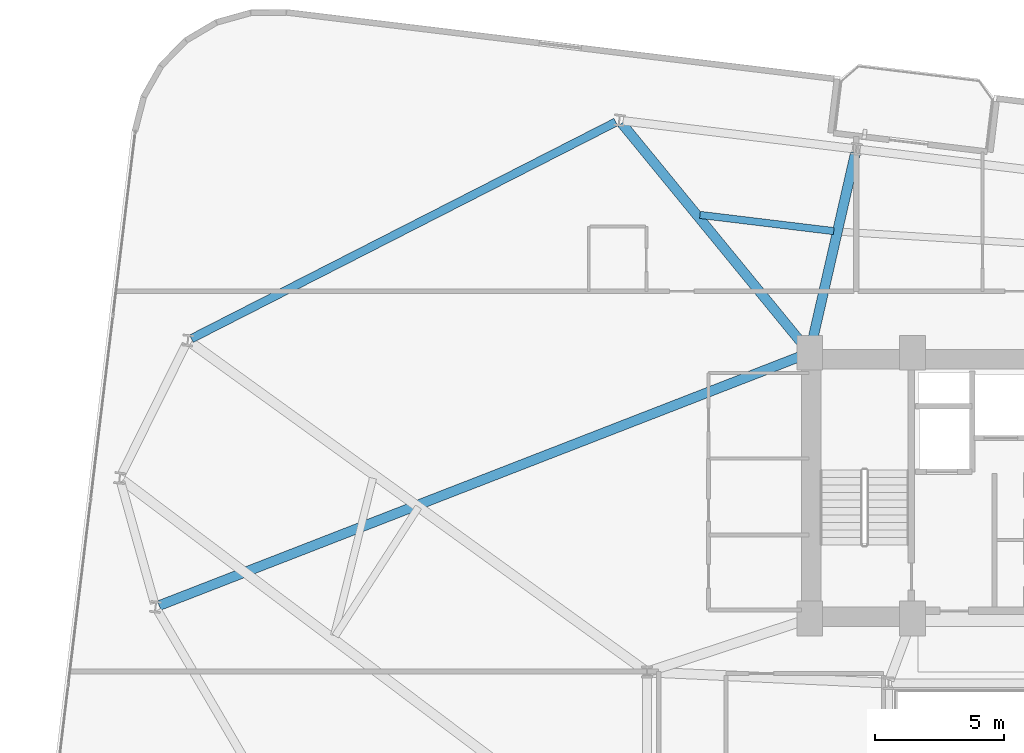
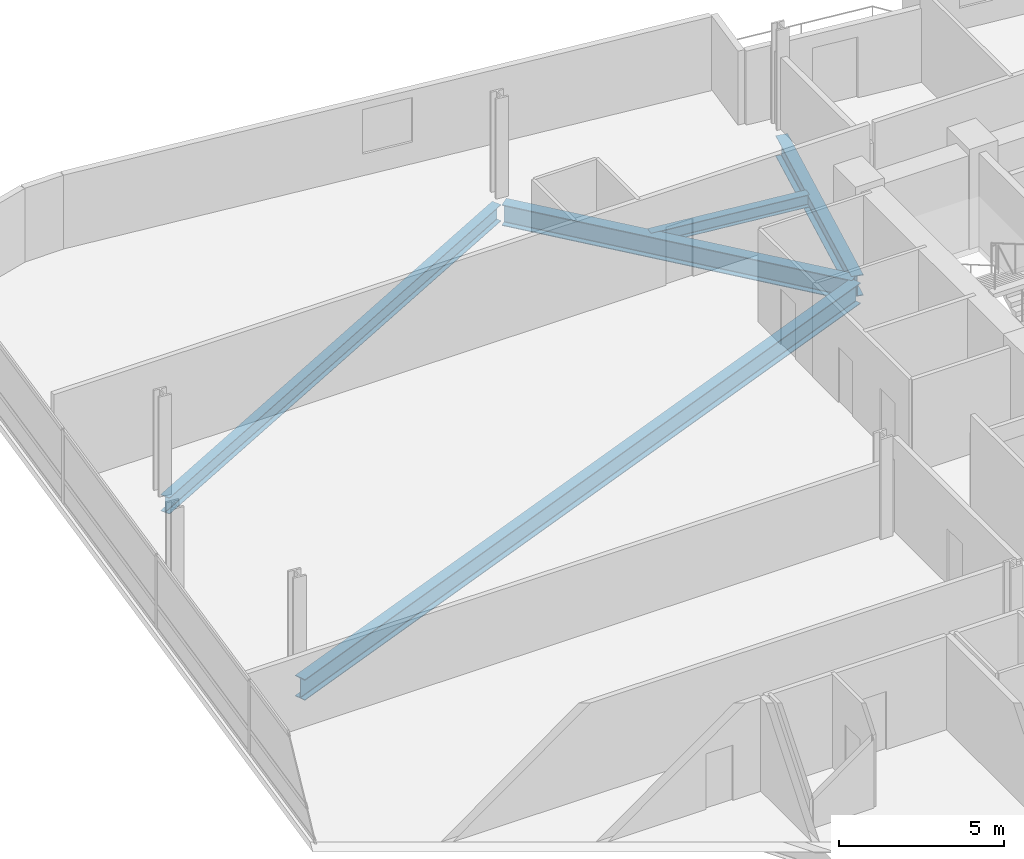
# One storey, part 11 of 26: 5 beams.
"""IFC4 building model written with IfcOpenShell, lengths in metres."""

import ifcopenshell
import ifcopenshell.guid

model = None  # the IFC model being written
_history = None  # IfcOwnerHistory: only IFC2X3 demands one
_inside = {}  # id of a spatial element -> (the spatial element, [elements in it])
_under = {}  # id of a project, library or spatial element -> (it, [spatial elements below it])
_declared = {}  # id of a project -> (the project, [libraries it declares])
_typed = {}  # id of a type object -> (the type object, [elements of that type])
_made_of = {}  # id of a material, layer set ... -> (it, [elements and type objects made of it])


def new_model(schema):
    """Start an empty IFC model of exactly this schema.

    Asked for "IFC4X3", IfcOpenShell would pick the latest addendum, in which some entities
    have other attributes; the version numbers below select the first issue.
    IFC2X3 requires an IfcOwnerHistory on every rooted entity: one is made here for all.
    """
    global model, _history
    if schema == "IFC4X3":
        model = ifcopenshell.file(schema_version=(4, 3, 0, 0))
    else:
        model = ifcopenshell.file(schema=schema)
    _inside.clear()
    _under.clear()
    _declared.clear()
    _typed.clear()
    _made_of.clear()
    _history = None
    if model.schema == "IFC2X3":
        org = make("IfcOrganization", Name="unknown")
        user = make(
            "IfcPersonAndOrganization",
            ThePerson=make("IfcPerson", FamilyName="unknown"),
            TheOrganization=org,
        )
        app = make(
            "IfcApplication",
            ApplicationDeveloper=org,
            Version="unknown",
            ApplicationFullName="unknown",
            ApplicationIdentifier="unknown",
        )
        _history = make(
            "IfcOwnerHistory",
            OwningUser=user,
            OwningApplication=app,
            ChangeAction="ADDED",
            CreationDate=0,
        )
    return model


def make(cls, **values):
    """One entity of the class cls with the attributes given. An attribute that is None is left unset."""
    return model.create_entity(
        cls, **{name: value for name, value in values.items() if value is not None}
    )


def rooted(cls, **values):
    """An entity with a GlobalId (a new one), such as an element, a storey or a relation."""
    return make(cls, GlobalId=ifcopenshell.guid.new(), OwnerHistory=_history, **values)


def si_unit(unit_type, name, prefix=None):
    """IfcSIUnit, for example si_unit("LENGTHUNIT", "METRE", prefix="MILLI")."""
    return make("IfcSIUnit", UnitType=unit_type, Prefix=prefix, Name=name)


def assignment(units):
    """IfcUnitAssignment: the units of a project."""
    return None if units is None else make("IfcUnitAssignment", Units=units)


def point(xyz):
    """IfcCartesianPoint."""
    return None if xyz is None else make("IfcCartesianPoint", Coordinates=xyz)


def direction(xyz):
    """IfcDirection."""
    return None if xyz is None else make("IfcDirection", DirectionRatios=xyz)


def frame(location, z_axis=None, x_axis=None):
    """IfcAxis2Placement3D, a coordinate frame: its origin and axes. An axis left out is left unset."""
    return make(
        "IfcAxis2Placement3D",
        Location=point(location),
        Axis=direction(z_axis),
        RefDirection=direction(x_axis),
    )


def frame_2d(location, x_axis=None):
    """IfcAxis2Placement2D, a coordinate frame in the plane: its origin and x axis."""
    return make(
        "IfcAxis2Placement2D", Location=point(location), RefDirection=direction(x_axis)
    )


def origin():
    """The frame at (0, 0, 0) with its axes left unset."""
    return frame((0.0, 0.0, 0.0))


def origin_2d():
    """The frame at (0, 0) in the plane with its x axis left unset."""
    return frame_2d((0.0, 0.0))


def place(relative_to, where):
    """IfcLocalPlacement: puts the frame where relative to a parent placement (None: the world)."""
    return make(
        "IfcLocalPlacement", PlacementRelTo=relative_to, RelativePlacement=where
    )


def context(
    kind, dimensions, precision=None, world=None, true_north=None, identifier=None
):
    """IfcGeometricRepresentationContext, for example the 3D "Model" context."""
    return make(
        "IfcGeometricRepresentationContext",
        ContextIdentifier=identifier,
        ContextType=kind,
        CoordinateSpaceDimension=dimensions,
        Precision=precision,
        WorldCoordinateSystem=world,
        TrueNorth=true_north,
    )


def subcontext(parent, identifier, kind, view, scale=None):
    """IfcGeometricRepresentationSubContext, for example "Body" below "Model"."""
    return make(
        "IfcGeometricRepresentationSubContext",
        ContextIdentifier=identifier,
        ContextType=kind,
        ParentContext=parent,
        TargetScale=scale,
        TargetView=view,
    )


def project(units=None, contexts=None):
    """IfcProject with its units and contexts."""
    return rooted(
        "IfcProject",
        Name="project",
        RepresentationContexts=contexts,
        UnitsInContext=assignment(units),
    )


def spatial(cls, under=None, at=None, **own):
    """A site, building, storey or space (cls), placed at a placement, below another one or the project."""
    s = rooted(cls, ObjectPlacement=at, **own)
    if under is not None:
        _under.setdefault(under.id(), (under, []))[1].append(s)
    return s


def profile(cls, at=None, kind="AREA", **sizes):
    """A parametric profile (cls). Its sizes go by their IFC names, for example OverallWidth=200.0."""
    return make(cls, ProfileType=kind, Position=at, **sizes)


def i_section(**sizes):
    """IfcIShapeProfileDef."""
    return profile("IfcIShapeProfileDef", **sizes)


def extrude(swept, where, along, depth):
    """IfcExtrudedAreaSolid: the profile swept, set in the frame where, extruded along a direction by depth."""
    return make(
        "IfcExtrudedAreaSolid",
        SweptArea=swept,
        Position=where,
        ExtrudedDirection=direction(along),
        Depth=depth,
    )


def shape(context_of_items, identifier, shape_type, items):
    """IfcShapeRepresentation: the items that make up one representation, for example the "Body"."""
    return make(
        "IfcShapeRepresentation",
        ContextOfItems=context_of_items,
        RepresentationIdentifier=identifier,
        RepresentationType=shape_type,
        Items=items,
    )


def material(Name=None, Category=None):
    """IfcMaterial."""
    return make("IfcMaterial", Name=Name, Category=Category)


def material_profile(
    of_material, cross_section, Name=None, Category=None, Priority=None
):
    """IfcMaterialProfile: a cross section and its material."""
    return make(
        "IfcMaterialProfile",
        Name=Name,
        Material=of_material,
        Profile=cross_section,
        Priority=Priority,
        Category=Category,
    )


def profile_set(profiles, Name=None, composite=None):
    """IfcMaterialProfileSet."""
    return make(
        "IfcMaterialProfileSet",
        Name=Name,
        MaterialProfiles=profiles,
        CompositeProfile=composite,
    )


def made_of(thing, what):
    """Note that an element or type object is made of a material, layer set ...; save() writes the relation."""
    if what is not None:
        _made_of.setdefault(what.id(), (what, []))[1].append(thing)
    return thing


def type_object(cls, material=None, **own):
    """A type object (cls), such as IfcWallType, which elements share."""
    return made_of(rooted(cls, **own), material)


def element(
    cls,
    number,
    at=None,
    inside=None,
    cuts=None,
    type_object=None,
    material=None,
    context=None,
    identifier="Body",
    shape_type=None,
    held_by="IfcProductDefinitionShape",
    body=None,
    shapes=None,
    **own,
):
    """One element of the class cls, such as IfcWall. Its Tag is "e" and its number.

    at: its placement. inside: the storey or other place that contains it. cuts: it is an
    opening in that element (IfcRelVoidsElement). A single representation is given by context,
    identifier, shape_type and body (its items); several are given by shapes. held_by: the class
    of the entity that holds the representations. save() writes the other relations.
    """
    e = rooted(cls, Tag="e%d" % number, ObjectPlacement=at, **own)
    if body is not None:
        shapes = [shape(context, identifier, shape_type, body)]
    if shapes is not None:
        e.Representation = make(held_by, Representations=shapes)
    if inside is not None:
        _inside.setdefault(inside.id(), (inside, []))[1].append(e)
    if cuts is not None:
        rooted(
            "IfcRelVoidsElement", RelatingBuildingElement=cuts, RelatedOpeningElement=e
        )
    if type_object is not None:
        _typed.setdefault(type_object.id(), (type_object, []))[1].append(e)
    return made_of(e, material)


def aggregate(whole, parts):
    """IfcRelAggregates: a whole, such as a stair, and the parts it consists of."""
    return rooted("IfcRelAggregates", RelatingObject=whole, RelatedObjects=parts)


def save(model, path):
    """Write the relations noted so far, then the file.

    IfcRelAggregates (storeys below a building ...), IfcRelContainedInSpatialStructure (elements
    in a storey), IfcRelDefinesByType, IfcRelAssociatesMaterial and IfcRelDeclares: one each for
    every whole, place, type object, material and project.
    """
    for whole, parts in _under.values():
        aggregate(whole, parts)
    for where, things in _inside.values():
        rooted(
            "IfcRelContainedInSpatialStructure",
            RelatedElements=things,
            RelatingStructure=where,
        )
    for kind, things in _typed.values():
        rooted("IfcRelDefinesByType", RelatedObjects=things, RelatingType=kind)
    for what, things in _made_of.values():
        rooted("IfcRelAssociatesMaterial", RelatedObjects=things, RelatingMaterial=what)
    for by, libraries in _declared.values():
        rooted("IfcRelDeclares", RelatingContext=by, RelatedDefinitions=libraries)
    model.write(path)


model = new_model("IFC4")

# Units and contexts
model_context = context("Model", 3, precision=1e-05, world=origin(), true_north=direction((0.0, 1.0)))
body_context = subcontext(model_context, "Body", "Model", "MODEL_VIEW")
ifc_project = project(units=[si_unit("LENGTHUNIT", "METRE"), si_unit("AREAUNIT", "SQUARE_METRE"), si_unit("VOLUMEUNIT", "CUBIC_METRE"), si_unit("PLANEANGLEUNIT", "RADIAN"), si_unit("MASSUNIT", "GRAM", prefix="KILO")], contexts=[model_context])

# Site, building, storey
site_placement = place(None, origin())
site = spatial("IfcSite", under=ifc_project, at=site_placement, CompositionType="ELEMENT")
building_placement = place(site_placement, origin())
building = spatial("IfcBuilding", under=site, at=building_placement, Name="Varnelok Gate Tower", CompositionType="ELEMENT")
storey_placement = place(building_placement, frame((0.0, 0.0, 125.39990234375)))
storey = spatial("IfcBuildingStorey", under=building, at=storey_placement, Name="L31", CompositionType="ELEMENT", Elevation=125.39990234375)

# Beams
ifc_material = material(Name="Structural Steel ASTM A992 Grade 50", Category="steel")
ifc_material_profile_1 = material_profile(ifc_material, i_section(OverallWidth=0.280029296875, OverallDepth=0.462890625, WebThickness=0.0107421875, FlangeThickness=0.017333984375, FilletRadius=0.014892578125, at=origin_2d()), Name="W18X76")
ifc_profile_set_1 = profile_set([ifc_material_profile_1], Name="Structural Steel ASTM A992 Grade 50")
beam_type_1 = type_object("IfcBeamType", Name="BM-JST-W18X76", PredefinedType="JOIST", material=ifc_profile_set_1)
beam_1_placement = place(storey_placement, frame((31.635498046875, 43.76318359375, -0.4814453125), z_axis=(-0.99273192091, 0.120346720792, 0.0), x_axis=(-0.120346720792, -0.99273192091, 0.0)))
element("IfcBeam", 1, at=beam_1_placement, inside=storey, type_object=beam_type_1, Name="L31 Sector Floor Joist 10", PredefinedType="JOIST", context=body_context, shape_type="SweptSolid", body=[
    extrude(i_section(OverallWidth=0.280029296875, OverallDepth=0.462890625, WebThickness=0.0107421875, FlangeThickness=0.017333984375, FilletRadius=0.014892578125, at=origin_2d()), origin(), (0.0, 0.0, 1.0), 5.223876953125),
])
ifc_material_profile_2 = material_profile(ifc_material, i_section(OverallWidth=0.381103515625, OverallDepth=0.77294921875, WebThickness=0.0166015625, FlangeThickness=0.027099609375, FilletRadius=0.02197265625, at=origin_2d()), Name="W30X173")
ifc_profile_set_2 = profile_set([ifc_material_profile_2], Name="Structural Steel ASTM A992 Grade 50")
beam_type_2 = type_object("IfcBeamType", Name="BM-PRI-W30X173", PredefinedType="BEAM", material=ifc_profile_set_2)
beam_2_placement = place(storey_placement, frame((30.7333984375, 39.1962890625, -0.636474609375), z_axis=(0.223043307507, 0.974808536573, 0.0), x_axis=(-0.974808536573, 0.223043307507, 0.0)))
element("IfcBeam", 2, at=beam_2_placement, inside=storey, type_object=beam_type_2, Name="L31 Radial Floor Girder 12", PredefinedType="BEAM", context=body_context, shape_type="SweptSolid", body=[
    extrude(i_section(OverallWidth=0.381103515625, OverallDepth=0.77294921875, WebThickness=0.0166015625, FlangeThickness=0.027099609375, FilletRadius=0.02197265625, at=origin_2d()), origin(), (0.0, 0.0, 1.0), 7.796875),
])
beam_3_placement = place(storey_placement, frame((30.60498046875, 39.166015625, -0.636474609375), z_axis=(-0.633655000371, 0.773615757663, 0.0), x_axis=(-0.773615757663, -0.633655000371, 0.0)))
element("IfcBeam", 3, at=beam_3_placement, inside=storey, type_object=beam_type_2, Name="L31 Radial Floor Girder 13", PredefinedType="BEAM", context=body_context, shape_type="SweptSolid", body=[
    extrude(i_section(OverallWidth=0.381103515625, OverallDepth=0.77294921875, WebThickness=0.0166015625, FlangeThickness=0.027099609375, FilletRadius=0.02197265625, at=origin_2d()), origin(), (0.0, 0.0, 1.0), 11.341796875),
])
beam_4_placement = place(storey_placement, frame((30.560302734375, 38.99560546875, -0.636474609375), z_axis=(-0.93209869119, -0.362204403454, 0.0), x_axis=(0.362204403454, -0.93209869119, 0.0)))
element("IfcBeam", 4, at=beam_4_placement, inside=storey, type_object=beam_type_2, Name="L31 Radial Floor Girder 16", PredefinedType="BEAM", context=body_context, shape_type="SweptSolid", body=[
    extrude(i_section(OverallWidth=0.381103515625, OverallDepth=0.77294921875, WebThickness=0.0166015625, FlangeThickness=0.027099609375, FilletRadius=0.02197265625, at=origin_2d()), origin(), (0.0, 0.0, 1.0), 26.890869140625),
])
ifc_material_profile_3 = material_profile(ifc_material, i_section(OverallWidth=0.323974609375, OverallDepth=0.611083984375, WebThickness=0.0126953125, FlangeThickness=0.01904296875, FilletRadius=0.01806640625, at=origin_2d()), Name="W24X104")
ifc_profile_set_3 = profile_set([ifc_material_profile_3], Name="Structural Steel ASTM A992 Grade 50")
beam_type_3 = type_object("IfcBeamType", Name="BM-SPN-W24X104", PredefinedType="SPANDREL", material=ifc_profile_set_3)
beam_5_placement = place(storey_placement, frame((23.189697265625, 47.98779296875, -0.555419921875), z_axis=(-0.890729755615, -0.454533279819, 0.0), x_axis=(0.454533279819, -0.890729755615, 0.0)))
element("IfcBeam", 5, at=beam_5_placement, inside=storey, type_object=beam_type_3, Name="L31 Perimeter Spandrel Beam 13", PredefinedType="SPANDREL", context=body_context, shape_type="SweptSolid", body=[
    extrude(i_section(OverallWidth=0.323974609375, OverallDepth=0.611083984375, WebThickness=0.0126953125, FlangeThickness=0.01904296875, FilletRadius=0.01806640625, at=origin_2d()), origin(), (0.0, 0.0, 1.0), 18.466796875),
])

save(model, "model.ifc")
